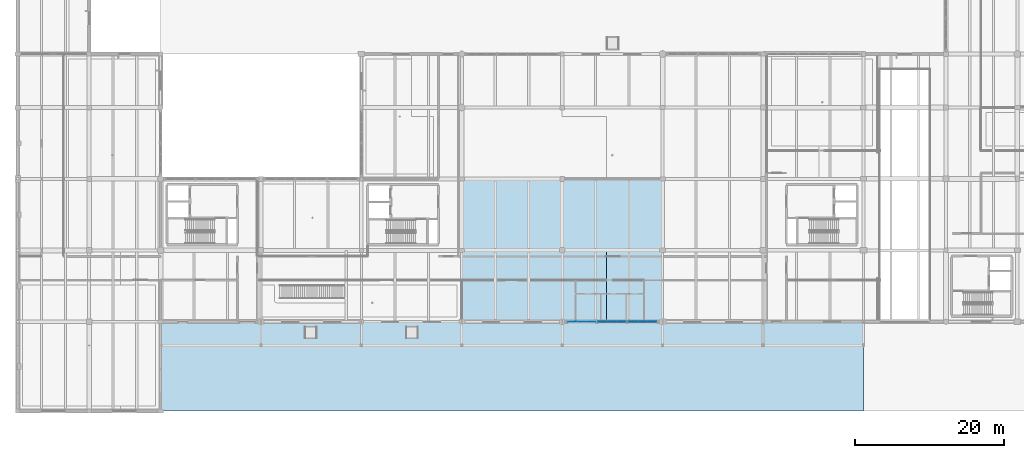
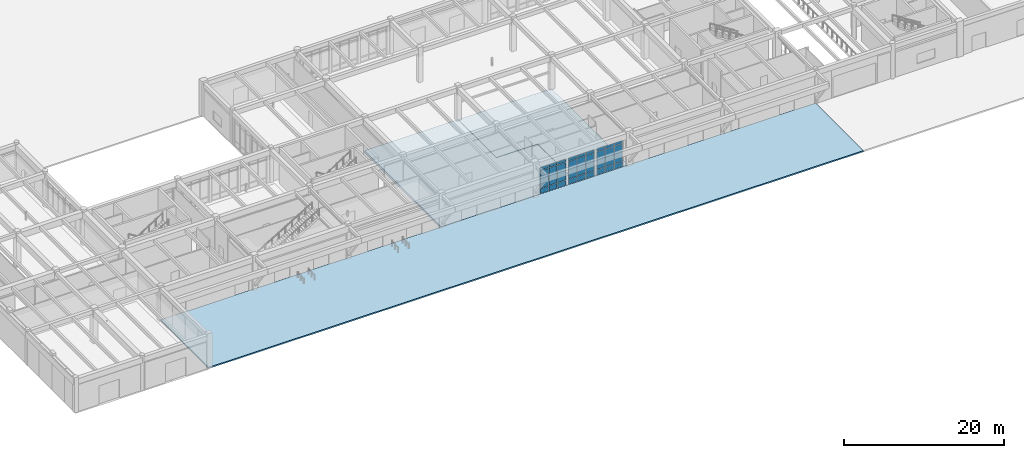
# One storey, part 90 of 138: 27 plates, 3 slabs, 3 elements without a shape of their own.
"""IFC4 building model written with IfcOpenShell, lengths in metres."""

from ifc_helpers import new_model, si_unit, direction, frame, origin, origin_2d, place, context, subcontext, project, spatial, polyline, rectangle, outline, extrude, material, layer, layer_set, type_object, element, aggregate, save


model = new_model("IFC4")

# Units and contexts
model_context = context("Model", 3, precision=1e-05, world=origin(), true_north=direction((0.0, 1.0)))
body_context = subcontext(model_context, "Body", "Model", "MODEL_VIEW")
ifc_project = project(units=[si_unit("LENGTHUNIT", "METRE"), si_unit("AREAUNIT", "SQUARE_METRE"), si_unit("VOLUMEUNIT", "CUBIC_METRE"), si_unit("PLANEANGLEUNIT", "RADIAN"), si_unit("MASSUNIT", "GRAM", prefix="KILO")], contexts=[model_context])

# Site, building, storey
site_placement = place(None, origin())
site = spatial("IfcSite", under=ifc_project, at=site_placement, CompositionType="ELEMENT")
building_placement = place(site_placement, origin())
building = spatial("IfcBuilding", under=site, at=building_placement, Name="Fikremerkos Civic Library", CompositionType="ELEMENT")
storey_placement = place(building_placement, origin())
storey = spatial("IfcBuildingStorey", under=building, at=storey_placement, Name="L00", CompositionType="ELEMENT", Elevation=0.0)

# Curtain wall, plates
ifc_material_1 = material(Name="Anodized aluminium Frame", Category="aluminium")
ifc_layer_1 = layer(ifc_material_1, 0.159912109375, Name="Anodized aluminium Frame")
ifc_layer_set_1 = layer_set([ifc_layer_1], Name="Anodized aluminium Frame")
curtain_wall_type_1 = type_object("IfcCurtainWallType", Name="Unitised curtain wall CW-01 3600x3600", PredefinedType="USERDEFINED", material=ifc_layer_set_1)
curtain_wall_1_placement = place(storey_placement, origin())
curtain_wall_1 = element("IfcCurtainWall", 1, at=curtain_wall_1_placement, inside=storey, type_object=curtain_wall_type_1, Name="Unitised curtain wall CW-01 L00 #1", ObjectType="UNITISED CURTAIN WALL", PredefinedType="USERDEFINED")
ifc_material_2 = material(Name="Solar control double glazing", Category="glass")
ifc_layer_2 = layer(ifc_material_2, 0.028076171875, Name="Solar control double glazing")
ifc_layer_set_2 = layer_set([ifc_layer_2], Name="Solar control double glazing")
plate_type_1 = type_object("IfcPlateType", Name="Curtain glazing panel CWP-01 28", PredefinedType="CURTAIN_PANEL", material=ifc_layer_set_2)
plate_1_placement = place(storey_placement, frame((85.253662109375, 12.0, 0.06982421875), z_axis=(0.0, 0.0, 1.0), x_axis=(-1.0, 0.0, 0.0)))
plate_1 = element("IfcPlate", 2, at=plate_1_placement, type_object=plate_type_1, Name="CW-01 panel 1.1", PredefinedType="CURTAIN_PANEL", context=body_context, shape_type="SweptSolid", body=[
    extrude(rectangle(XDim=1.166748046875, YDim=0.028076171875, at=origin_2d()), origin(), (0.0, 0.0, 1.0), 0.7451171875),
])
plate_2_placement = place(storey_placement, frame((85.253662109375, 12.0, 0.885009765625), z_axis=(0.0, 0.0, 1.0), x_axis=(-1.0, 0.0, 0.0)))
plate_2 = element("IfcPlate", 3, at=plate_2_placement, type_object=plate_type_1, Name="CW-01 panel 1.2", PredefinedType="CURTAIN_PANEL", context=body_context, shape_type="SweptSolid", body=[
    extrude(rectangle(XDim=1.166748046875, YDim=0.028076171875, at=origin_2d()), origin(), (0.0, 0.0, 1.0), 2.64990234375),
])
plate_3_placement = place(storey_placement, frame((85.253662109375, 12.0, 3.60498046875), z_axis=(0.0, 0.0, 1.0), x_axis=(-1.0, 0.0, 0.0)))
plate_3 = element("IfcPlate", 4, at=plate_3_placement, type_object=plate_type_1, Name="CW-01 panel 1.3", PredefinedType="CURTAIN_PANEL", context=body_context, shape_type="SweptSolid", body=[
    extrude(rectangle(XDim=1.166748046875, YDim=0.028076171875, at=origin_2d()), origin(), (0.0, 0.0, 1.0), 0.445068359375),
])
plate_4_placement = place(storey_placement, frame((84.005615234375, 12.0, 0.06982421875), z_axis=(0.0, 0.0, 1.0), x_axis=(-1.0, 0.0, 0.0)))
plate_4 = element("IfcPlate", 5, at=plate_4_placement, type_object=plate_type_1, Name="CW-01 panel 2.1", PredefinedType="CURTAIN_PANEL", context=body_context, shape_type="SweptSolid", body=[
    extrude(rectangle(XDim=1.19921875, YDim=0.028076171875, at=origin_2d()), origin(), (0.0, 0.0, 1.0), 0.7451171875),
])
plate_5_placement = place(storey_placement, frame((84.005615234375, 12.0, 0.885009765625), z_axis=(0.0, 0.0, 1.0), x_axis=(-1.0, 0.0, 0.0)))
plate_5 = element("IfcPlate", 6, at=plate_5_placement, type_object=plate_type_1, Name="CW-01 panel 2.2", PredefinedType="CURTAIN_PANEL", context=body_context, shape_type="SweptSolid", body=[
    extrude(rectangle(XDim=1.19921875, YDim=0.028076171875, at=origin_2d()), origin(), (0.0, 0.0, 1.0), 2.64990234375),
])
plate_6_placement = place(storey_placement, frame((84.005615234375, 12.0, 3.60498046875), z_axis=(0.0, 0.0, 1.0), x_axis=(-1.0, 0.0, 0.0)))
plate_6 = element("IfcPlate", 7, at=plate_6_placement, type_object=plate_type_1, Name="CW-01 panel 2.3", PredefinedType="CURTAIN_PANEL", context=body_context, shape_type="SweptSolid", body=[
    extrude(rectangle(XDim=1.19921875, YDim=0.028076171875, at=origin_2d()), origin(), (0.0, 0.0, 1.0), 0.445068359375),
])
plate_7_placement = place(storey_placement, frame((82.75732421875, 12.0, 0.06982421875), z_axis=(0.0, 0.0, 1.0), x_axis=(-1.0, 0.0, 0.0)))
plate_7 = element("IfcPlate", 8, at=plate_7_placement, type_object=plate_type_1, Name="CW-01 panel 3.1", PredefinedType="CURTAIN_PANEL", context=body_context, shape_type="SweptSolid", body=[
    extrude(rectangle(XDim=1.166748046875, YDim=0.028076171875, at=origin_2d()), origin(), (0.0, 0.0, 1.0), 0.7451171875),
])
plate_8_placement = place(storey_placement, frame((82.75732421875, 12.0, 0.885009765625), z_axis=(0.0, 0.0, 1.0), x_axis=(-1.0, 0.0, 0.0)))
plate_8 = element("IfcPlate", 9, at=plate_8_placement, type_object=plate_type_1, Name="CW-01 panel 3.2", PredefinedType="CURTAIN_PANEL", context=body_context, shape_type="SweptSolid", body=[
    extrude(rectangle(XDim=1.166748046875, YDim=0.028076171875, at=origin_2d()), origin(), (0.0, 0.0, 1.0), 2.64990234375),
])
plate_9_placement = place(storey_placement, frame((82.75732421875, 12.0, 3.60498046875), z_axis=(0.0, 0.0, 1.0), x_axis=(-1.0, 0.0, 0.0)))
plate_9 = element("IfcPlate", 10, at=plate_9_placement, type_object=plate_type_1, Name="CW-01 panel 3.3", PredefinedType="CURTAIN_PANEL", context=body_context, shape_type="SweptSolid", body=[
    extrude(rectangle(XDim=1.166748046875, YDim=0.028076171875, at=origin_2d()), origin(), (0.0, 0.0, 1.0), 0.445068359375),
])
aggregate(curtain_wall_1, [plate_1, plate_2, plate_3, plate_4, plate_5, plate_6, plate_7, plate_8, plate_9])

ifc_layer_3 = layer(ifc_material_1, 0.159912109375, Name="Anodized aluminium Frame")
ifc_layer_set_3 = layer_set([ifc_layer_3], Name="Anodized aluminium Frame")
curtain_wall_type_2 = type_object("IfcCurtainWallType", Name="Unitised curtain wall CW-02 3900x3600", PredefinedType="USERDEFINED", material=ifc_layer_set_3)
curtain_wall_2_placement = place(storey_placement, origin())
curtain_wall_2 = element("IfcCurtainWall", 11, at=curtain_wall_2_placement, inside=storey, type_object=curtain_wall_type_2, Name="Unitised curtain wall CW-02 L00 #2", ObjectType="UNITISED CURTAIN WALL", PredefinedType="USERDEFINED")
ifc_layer_4 = layer(ifc_material_2, 0.035888671875, Name="Solar control double glazing")
ifc_layer_set_4 = layer_set([ifc_layer_4], Name="Solar control double glazing")
plate_type_2 = type_object("IfcPlateType", Name="Curtain glazing panel CWP-02 36", PredefinedType="CURTAIN_PANEL", material=ifc_layer_set_4)
plate_10_placement = place(storey_placement, frame((81.161865234375, 12.0, 0.06982421875), z_axis=(0.0, 0.0, 1.0), x_axis=(-1.0, 0.0, 0.0)))
plate_10 = element("IfcPlate", 12, at=plate_10_placement, type_object=plate_type_2, Name="CW-02 panel 1.1", PredefinedType="CURTAIN_PANEL", context=body_context, shape_type="SweptSolid", body=[
    extrude(rectangle(XDim=1.17431640625, YDim=0.035888671875, at=origin_2d()), origin(), (0.0, 0.0, 1.0), 0.7451171875),
])
plate_11_placement = place(storey_placement, frame((81.161865234375, 12.0, 0.885009765625), z_axis=(0.0, 0.0, 1.0), x_axis=(-1.0, 0.0, 0.0)))
plate_11 = element("IfcPlate", 13, at=plate_11_placement, type_object=plate_type_2, Name="CW-02 panel 1.2", PredefinedType="CURTAIN_PANEL", context=body_context, shape_type="SweptSolid", body=[
    extrude(rectangle(XDim=1.17431640625, YDim=0.035888671875, at=origin_2d()), origin(), (0.0, 0.0, 1.0), 2.64990234375),
])
plate_12_placement = place(storey_placement, frame((81.161865234375, 12.0, 3.60498046875), z_axis=(0.0, 0.0, 1.0), x_axis=(-1.0, 0.0, 0.0)))
plate_12 = element("IfcPlate", 14, at=plate_12_placement, type_object=plate_type_2, Name="CW-02 panel 1.3", PredefinedType="CURTAIN_PANEL", context=body_context, shape_type="SweptSolid", body=[
    extrude(rectangle(XDim=1.17431640625, YDim=0.035888671875, at=origin_2d()), origin(), (0.0, 0.0, 1.0), 0.445068359375),
])
plate_13_placement = place(storey_placement, frame((79.91259765625, 12.0, 0.06982421875), z_axis=(0.0, 0.0, 1.0), x_axis=(-1.0, 0.0, 0.0)))
plate_13 = element("IfcPlate", 15, at=plate_13_placement, type_object=plate_type_2, Name="CW-02 panel 2.1", PredefinedType="CURTAIN_PANEL", context=body_context, shape_type="SweptSolid", body=[
    extrude(rectangle(XDim=1.204345703125, YDim=0.035888671875, at=origin_2d()), origin(), (0.0, 0.0, 1.0), 0.7451171875),
])
plate_14_placement = place(storey_placement, frame((79.91259765625, 12.0, 0.885009765625), z_axis=(0.0, 0.0, 1.0), x_axis=(-1.0, 0.0, 0.0)))
plate_14 = element("IfcPlate", 16, at=plate_14_placement, type_object=plate_type_2, Name="CW-02 panel 2.2", PredefinedType="CURTAIN_PANEL", context=body_context, shape_type="SweptSolid", body=[
    extrude(rectangle(XDim=1.204345703125, YDim=0.035888671875, at=origin_2d()), origin(), (0.0, 0.0, 1.0), 2.64990234375),
])
plate_15_placement = place(storey_placement, frame((79.91259765625, 12.0, 3.60498046875), z_axis=(0.0, 0.0, 1.0), x_axis=(-1.0, 0.0, 0.0)))
plate_15 = element("IfcPlate", 17, at=plate_15_placement, type_object=plate_type_2, Name="CW-02 panel 2.3", PredefinedType="CURTAIN_PANEL", context=body_context, shape_type="SweptSolid", body=[
    extrude(rectangle(XDim=1.204345703125, YDim=0.035888671875, at=origin_2d()), origin(), (0.0, 0.0, 1.0), 0.445068359375),
])
plate_16_placement = place(storey_placement, frame((78.6630859375, 12.0, 0.06982421875), z_axis=(0.0, 0.0, 1.0), x_axis=(-1.0, 0.0, 0.0)))
plate_16 = element("IfcPlate", 18, at=plate_16_placement, type_object=plate_type_2, Name="CW-02 panel 3.1", PredefinedType="CURTAIN_PANEL", context=body_context, shape_type="SweptSolid", body=[
    extrude(rectangle(XDim=1.17431640625, YDim=0.035888671875, at=origin_2d()), origin(), (0.0, 0.0, 1.0), 0.7451171875),
])
plate_17_placement = place(storey_placement, frame((78.6630859375, 12.0, 0.885009765625), z_axis=(0.0, 0.0, 1.0), x_axis=(-1.0, 0.0, 0.0)))
plate_17 = element("IfcPlate", 19, at=plate_17_placement, type_object=plate_type_2, Name="CW-02 panel 3.2", PredefinedType="CURTAIN_PANEL", context=body_context, shape_type="SweptSolid", body=[
    extrude(rectangle(XDim=1.17431640625, YDim=0.035888671875, at=origin_2d()), origin(), (0.0, 0.0, 1.0), 2.64990234375),
])
plate_18_placement = place(storey_placement, frame((78.6630859375, 12.0, 3.60498046875), z_axis=(0.0, 0.0, 1.0), x_axis=(-1.0, 0.0, 0.0)))
plate_18 = element("IfcPlate", 20, at=plate_18_placement, type_object=plate_type_2, Name="CW-02 panel 3.3", PredefinedType="CURTAIN_PANEL", context=body_context, shape_type="SweptSolid", body=[
    extrude(rectangle(XDim=1.17431640625, YDim=0.035888671875, at=origin_2d()), origin(), (0.0, 0.0, 1.0), 0.445068359375),
])
aggregate(curtain_wall_2, [plate_10, plate_11, plate_12, plate_13, plate_14, plate_15, plate_16, plate_17, plate_18])

ifc_layer_5 = layer(ifc_material_1, 0.159912109375, Name="Anodized aluminium Frame")
ifc_layer_set_5 = layer_set([ifc_layer_5], Name="Anodized aluminium Frame")
curtain_wall_type_3 = type_object("IfcCurtainWallType", Name="Unitised curtain wall CW-03 4100x3600", PredefinedType="USERDEFINED", material=ifc_layer_set_5)
curtain_wall_3_placement = place(storey_placement, origin())
curtain_wall_3 = element("IfcCurtainWall", 21, at=curtain_wall_3_placement, inside=storey, type_object=curtain_wall_type_3, Name="Unitised curtain wall CW-03 L00 #3", ObjectType="UNITISED CURTAIN WALL", PredefinedType="USERDEFINED")
ifc_material_3 = material(Name="Insulated aluminium spandrel", Category="aluminium")
ifc_layer_6 = layer(ifc_material_3, 0.044921875, Name="Insulated aluminium spandrel")
ifc_layer_set_6 = layer_set([ifc_layer_6], Name="Insulated aluminium spandrel")
plate_type_3 = type_object("IfcPlateType", Name="Curtain spandrel panel CSP-01 45", PredefinedType="CURTAIN_PANEL", material=ifc_layer_set_6)
plate_19_placement = place(storey_placement, frame((77.06884765625, 12.0, 0.06494140625), z_axis=(0.0, 0.0, 1.0), x_axis=(-1.0, 0.0, 0.0)))
plate_19 = element("IfcPlate", 22, at=plate_19_placement, type_object=plate_type_3, Name="CW-03 panel 1.1", PredefinedType="CURTAIN_PANEL", context=body_context, shape_type="SweptSolid", body=[
    extrude(rectangle(XDim=1.17431640625, YDim=0.044921875, at=origin_2d()), origin(), (0.0, 0.0, 1.0), 0.75244140625),
])
plate_20_placement = place(storey_placement, frame((77.06884765625, 12.0, 0.88232421875), z_axis=(0.0, 0.0, 1.0), x_axis=(-1.0, 0.0, 0.0)))
plate_20 = element("IfcPlate", 23, at=plate_20_placement, type_object=plate_type_3, Name="CW-03 panel 1.2", PredefinedType="CURTAIN_PANEL", context=body_context, shape_type="SweptSolid", body=[
    extrude(rectangle(XDim=1.17431640625, YDim=0.044921875, at=origin_2d()), origin(), (0.0, 0.0, 1.0), 2.655029296875),
])
plate_21_placement = place(storey_placement, frame((77.06884765625, 12.0, 3.6025390625), z_axis=(0.0, 0.0, 1.0), x_axis=(-1.0, 0.0, 0.0)))
plate_21 = element("IfcPlate", 24, at=plate_21_placement, type_object=plate_type_3, Name="CW-03 panel 1.3", PredefinedType="CURTAIN_PANEL", context=body_context, shape_type="SweptSolid", body=[
    extrude(rectangle(XDim=1.17431640625, YDim=0.044921875, at=origin_2d()), origin(), (0.0, 0.0, 1.0), 0.452392578125),
])
plate_22_placement = place(storey_placement, frame((75.819580078125, 12.0, 0.06494140625), z_axis=(0.0, 0.0, 1.0), x_axis=(-1.0, 0.0, 0.0)))
plate_22 = element("IfcPlate", 25, at=plate_22_placement, type_object=plate_type_3, Name="CW-03 panel 2.1", PredefinedType="CURTAIN_PANEL", context=body_context, shape_type="SweptSolid", body=[
    extrude(rectangle(XDim=1.204345703125, YDim=0.044921875, at=origin_2d()), origin(), (0.0, 0.0, 1.0), 0.75244140625),
])
plate_23_placement = place(storey_placement, frame((75.819580078125, 12.0, 0.88232421875), z_axis=(0.0, 0.0, 1.0), x_axis=(-1.0, 0.0, 0.0)))
plate_23 = element("IfcPlate", 26, at=plate_23_placement, type_object=plate_type_3, Name="CW-03 panel 2.2", PredefinedType="CURTAIN_PANEL", context=body_context, shape_type="SweptSolid", body=[
    extrude(rectangle(XDim=1.204345703125, YDim=0.044921875, at=origin_2d()), origin(), (0.0, 0.0, 1.0), 2.655029296875),
])
plate_24_placement = place(storey_placement, frame((75.819580078125, 12.0, 3.6025390625), z_axis=(0.0, 0.0, 1.0), x_axis=(-1.0, 0.0, 0.0)))
plate_24 = element("IfcPlate", 27, at=plate_24_placement, type_object=plate_type_3, Name="CW-03 panel 2.3", PredefinedType="CURTAIN_PANEL", context=body_context, shape_type="SweptSolid", body=[
    extrude(rectangle(XDim=1.204345703125, YDim=0.044921875, at=origin_2d()), origin(), (0.0, 0.0, 1.0), 0.452392578125),
])
plate_25_placement = place(storey_placement, frame((74.570068359375, 12.0, 0.06494140625), z_axis=(0.0, 0.0, 1.0), x_axis=(-1.0, 0.0, 0.0)))
plate_25 = element("IfcPlate", 28, at=plate_25_placement, type_object=plate_type_3, Name="CW-03 panel 3.1", PredefinedType="CURTAIN_PANEL", context=body_context, shape_type="SweptSolid", body=[
    extrude(rectangle(XDim=1.17431640625, YDim=0.044921875, at=origin_2d()), origin(), (0.0, 0.0, 1.0), 0.75244140625),
])
plate_26_placement = place(storey_placement, frame((74.570068359375, 12.0, 0.88232421875), z_axis=(0.0, 0.0, 1.0), x_axis=(-1.0, 0.0, 0.0)))
plate_26 = element("IfcPlate", 29, at=plate_26_placement, type_object=plate_type_3, Name="CW-03 panel 3.2", PredefinedType="CURTAIN_PANEL", context=body_context, shape_type="SweptSolid", body=[
    extrude(rectangle(XDim=1.17431640625, YDim=0.044921875, at=origin_2d()), origin(), (0.0, 0.0, 1.0), 2.655029296875),
])
plate_27_placement = place(storey_placement, frame((74.570068359375, 12.0, 3.6025390625), z_axis=(0.0, 0.0, 1.0), x_axis=(-1.0, 0.0, 0.0)))
plate_27 = element("IfcPlate", 30, at=plate_27_placement, type_object=plate_type_3, Name="CW-03 panel 3.3", PredefinedType="CURTAIN_PANEL", context=body_context, shape_type="SweptSolid", body=[
    extrude(rectangle(XDim=1.17431640625, YDim=0.044921875, at=origin_2d()), origin(), (0.0, 0.0, 1.0), 0.452392578125),
])
aggregate(curtain_wall_3, [plate_19, plate_20, plate_21, plate_22, plate_23, plate_24, plate_25, plate_26, plate_27])

# Slabs
ifc_material_4 = material(Name="Concrete C35/45", Category="concrete")
ifc_layer_7 = layer(ifc_material_4, 0.199951171875, Name="Concrete C35/45")
ifc_layer_set_7 = layer_set([ifc_layer_7], Name="Concrete C35/45")
slab_type_1 = type_object("IfcSlabType", Name="External terrace slab ETS-03 200", PredefinedType="FLOOR", material=ifc_layer_set_7)
slab_1_placement = place(storey_placement, frame((0.0, 0.0, -0.199951171875)))
element("IfcSlab", 31, at=slab_1_placement, inside=storey, type_object=slab_type_1, Name="Courtyard paving slab ETS-03 L00-EXT-PLAZA", PredefinedType="FLOOR", context=body_context, shape_type="SweptSolid", body=[
    extrude(outline(polyline([(19.199951171875, 0.0), (113.699951171875, 0.0), (113.699951171875, 12.0), (19.199951171875, 12.0), (19.199951171875, 0.0)])), origin(), (0.0, 0.0, 1.0), 0.199951171875),
])
ifc_material_5 = material(Name="Concrete C40/50", Category="concrete")
ifc_layer_8 = layer(ifc_material_5, 0.340087890625, Name="Concrete C40/50")
ifc_layer_set_8 = layer_set([ifc_layer_8], Name="Concrete C40/50")
slab_type_2 = type_object("IfcSlabType", Name="Suspended floor slab SFS-01 340", PredefinedType="FLOOR", material=ifc_layer_set_8)
slab_2_placement = place(storey_placement, frame((0.0, 0.0, -0.340087890625)))
element("IfcSlab", 32, at=slab_2_placement, inside=storey, type_object=slab_type_2, Name="Floor slab SFS-01 SLB-L00-V4-M-2L1", PredefinedType="FLOOR", context=body_context, shape_type="SweptSolid", body=[
    extrude(outline(polyline([(59.699951171875, 12.0), (79.135986328125, 12.0), (79.135986328125, 21.595947265625), (73.196044921875, 21.595947265625), (73.196044921875, 31.199951171875), (59.699951171875, 31.199951171875), (59.699951171875, 12.0)])), origin(), (0.0, 0.0, 1.0), 0.340087890625),
])
slab_3_placement = place(storey_placement, frame((0.0, 0.0, -0.340087890625)))
element("IfcSlab", 33, at=slab_3_placement, inside=storey, type_object=slab_type_2, Name="Floor slab SFS-01 SLB-L00-V4-M-2L2", PredefinedType="FLOOR", context=body_context, shape_type="SweptSolid", body=[
    extrude(outline(polyline([(79.14404296875, 12.0), (86.699951171875, 12.0), (86.699951171875, 31.199951171875), (73.2041015625, 31.199951171875), (73.2041015625, 21.60400390625), (79.14404296875, 21.60400390625), (79.14404296875, 12.0)])), origin(), (0.0, 0.0, 1.0), 0.340087890625),
])

save(model, "model.ifc")
